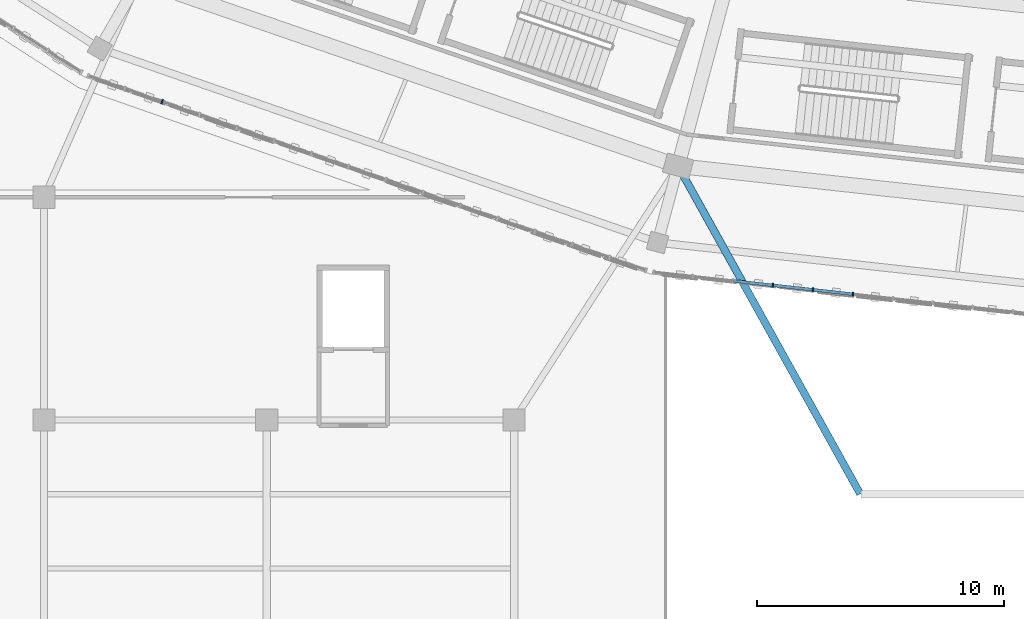
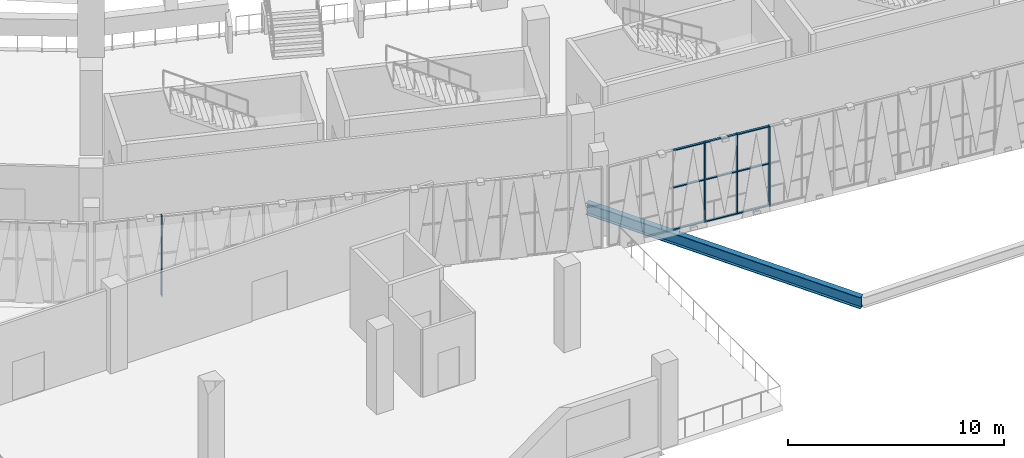
# One storey, part 13 of 183: 13 members, 1 beam, 2 elements without a shape of their own.
"""IFC4 building model written with IfcOpenShell, lengths in metres."""

from ifc_helpers import new_model, si_unit, direction, frame, origin, origin_2d, place, context, subcontext, project, spatial, rectangle, i_section, extrude, material, material_profile, profile_set, type_object, element, aggregate, save


model = new_model("IFC4")

# Units and contexts
model_context = context("Model", 3, precision=1e-05, world=origin(), true_north=direction((0.0, 1.0)))
body_context = subcontext(model_context, "Body", "Model", "MODEL_VIEW")
ifc_project = project(units=[si_unit("LENGTHUNIT", "METRE"), si_unit("AREAUNIT", "SQUARE_METRE"), si_unit("VOLUMEUNIT", "CUBIC_METRE"), si_unit("PLANEANGLEUNIT", "RADIAN"), si_unit("MASSUNIT", "GRAM", prefix="KILO")], contexts=[model_context])

# Site, building, storey
site_placement = place(None, origin())
site = spatial("IfcSite", under=ifc_project, at=site_placement, CompositionType="ELEMENT")
building_placement = place(site_placement, origin())
building = spatial("IfcBuilding", under=site, at=building_placement, Name="Zevraka Park Crest Stadium", CompositionType="ELEMENT")
storey_placement = place(building_placement, frame((0.0, 0.0, 5.39990234375)))
storey = spatial("IfcBuildingStorey", under=building, at=storey_placement, Name="L01", CompositionType="ELEMENT", Elevation=5.39990234375)

# Beam
ifc_material_1 = material(Name="Steel S355", Category="steel")
ifc_material_profile_1 = material_profile(ifc_material_1, i_section(OverallWidth=0.300048828125, OverallDepth=0.64990234375, WebThickness=0.01611328125, FlangeThickness=0.031005859375, at=origin_2d()), Name="HEB 650")
ifc_profile_set_1 = profile_set([ifc_material_profile_1], Name="Steel S355")
beam_type = type_object("IfcBeamType", Name="BG07", PredefinedType="BEAM", material=ifc_profile_set_1)
beam_placement = place(storey_placement, frame((95.989990234375, 6.01708984375, -0.635009765625), z_axis=(-0.485672351403, 0.874140930905, 0.0), x_axis=(-0.874140930905, -0.485672351403, 0.0)))
element("IfcBeam", 1, at=beam_placement, inside=storey, type_object=beam_type, Name="Arcade Tie Beam BG07 PADS", PredefinedType="BEAM", context=body_context, shape_type="SweptSolid", body=[
    extrude(i_section(OverallWidth=0.300048828125, OverallDepth=0.64990234375, WebThickness=0.01611328125, FlangeThickness=0.031005859375, at=origin_2d()), origin(), (0.0, 0.0, 1.0), 14.796142578125),
])

# Curtain wall, members
ifc_material_2 = material(Name="Anodised architectural aluminium and laminated safety glass", Category="aluminium")
curtain_wall_type_1 = type_object("IfcCurtainWallType", Name="CW01", PredefinedType="NOTDEFINED", material=ifc_material_2)
curtain_wall_1_placement = place(storey_placement, origin())
curtain_wall_1 = element("IfcCurtainWall", 2, at=curtain_wall_1_placement, inside=storey, type_object=curtain_wall_type_1, Name="Unitised Ring Curtain Wall CW01 L01-17", PredefinedType="NOTDEFINED")
ifc_material_3 = material(Name="Anodised architectural aluminium", Category="aluminium")
ifc_material_profile_2 = material_profile(ifc_material_3, rectangle(XDim=0.159912109375, YDim=0.06005859375, at=origin_2d()), Name="ALU MULLION 160x60")
ifc_profile_set_2 = profile_set([ifc_material_profile_2], Name="Anodised architectural aluminium")
member_type_1 = type_object("IfcMemberType", Name="CM01", PredefinedType="MULLION", material=ifc_profile_set_2)
member_1_placement = place(storey_placement, frame((92.463623046875, 14.4453125, 0.0), z_axis=(0.0, 0.0, 1.0), x_axis=(0.110134718639, 0.993916668414, 0.0)))
member_1 = element("IfcMember", 3, at=member_1_placement, type_object=member_type_1, Name="CW01 mullion 4", PredefinedType="MULLION", context=body_context, shape_type="SweptSolid", body=[
    extrude(rectangle(XDim=0.159912109375, YDim=0.06005859375, at=origin_2d()), origin(), (0.0, 0.0, 1.0), 4.52001953125),
])
member_2_placement = place(storey_placement, frame((94.080810546875, 14.26611328125, 0.0), z_axis=(0.0, 0.0, 1.0), x_axis=(0.110134718639, 0.993916668414, 0.0)))
member_2 = element("IfcMember", 4, at=member_2_placement, type_object=member_type_1, Name="CW01 mullion 5", PredefinedType="MULLION", context=body_context, shape_type="SweptSolid", body=[
    extrude(rectangle(XDim=0.159912109375, YDim=0.06005859375, at=origin_2d()), origin(), (0.0, 0.0, 1.0), 4.52001953125),
])
member_3_placement = place(storey_placement, frame((95.697998046875, 14.0869140625, 0.0), z_axis=(0.0, 0.0, 1.0), x_axis=(0.110134718639, 0.993916668414, 0.0)))
member_3 = element("IfcMember", 5, at=member_3_placement, type_object=member_type_1, Name="CW01 mullion 6", PredefinedType="MULLION", context=body_context, shape_type="SweptSolid", body=[
    extrude(rectangle(XDim=0.159912109375, YDim=0.06005859375, at=origin_2d()), origin(), (0.0, 0.0, 1.0), 4.52001953125),
])

# Curtain wall, member
ifc_material_4 = material(Name="Anodised architectural aluminium and laminated safety glass", Category="aluminium")
curtain_wall_type_2 = type_object("IfcCurtainWallType", Name="CW02", PredefinedType="NOTDEFINED", material=ifc_material_4)
curtain_wall_2_placement = place(storey_placement, origin())
curtain_wall_2 = element("IfcCurtainWall", 6, at=curtain_wall_2_placement, inside=storey, type_object=curtain_wall_type_2, Name="Unitised Ring Curtain Wall CW02 L01-16", PredefinedType="NOTDEFINED")
ifc_material_5 = material(Name="Anodised architectural aluminium", Category="aluminium")
ifc_material_profile_3 = material_profile(ifc_material_5, rectangle(XDim=0.179931640625, YDim=0.06494140625, at=origin_2d()), Name="ALU MULLION 180x65")
ifc_profile_set_3 = profile_set([ifc_material_profile_3], Name="Anodised architectural aluminium")
member_type_2 = type_object("IfcMemberType", Name="CM02", PredefinedType="MULLION", material=ifc_profile_set_3)
member_4_placement = place(storey_placement, frame((67.772216796875, 21.869384765625, 0.0), z_axis=(0.0, 0.0, 1.0), x_axis=(0.329209289879, 0.944256979565, 0.0)))
member_4 = element("IfcMember", 7, at=member_4_placement, type_object=member_type_2, Name="CW02 mullion 3", PredefinedType="MULLION", context=body_context, shape_type="SweptSolid", body=[
    extrude(rectangle(XDim=0.179931640625, YDim=0.06494140625, at=origin_2d()), origin(), (0.0, 0.0, 1.0), 4.52001953125),
])
aggregate(curtain_wall_2, [member_4])

# Member
ifc_material_6 = material(Name="Anodised architectural aluminium", Category="aluminium")
ifc_material_profile_4 = material_profile(ifc_material_6, rectangle(XDim=0.1201171875, YDim=0.06005859375, at=origin_2d()), Name="ALU TRANSOM 120x60")
ifc_profile_set_4 = profile_set([ifc_material_profile_4], Name="Anodised architectural aluminium")
member_type_3 = type_object("IfcMemberType", Name="CT01", PredefinedType="USERDEFINED", material=ifc_profile_set_4)
member_5_placement = place(storey_placement, frame((90.876220703125, 14.621337890625, 0.030029296875), z_axis=(0.993915989308, -0.110140847091, 0.0), x_axis=(0.110140847091, 0.993915989308, 0.0)))
member_5 = element("IfcMember", 8, at=member_5_placement, type_object=member_type_3, Name="CW01 transom 3.1", ObjectType="TRANSOM", PredefinedType="USERDEFINED", context=body_context, shape_type="SweptSolid", body=[
    extrude(rectangle(XDim=0.1201171875, YDim=0.06005859375, at=origin_2d()), origin(), (0.0, 0.0, 1.0), 1.567138671875),
])

member_6_placement = place(storey_placement, frame((90.876220703125, 14.621337890625, 2.400146484375), z_axis=(0.993915989308, -0.110140847091, 0.0), x_axis=(0.110140847091, 0.993915989308, 0.0)))
member_6 = element("IfcMember", 9, at=member_6_placement, type_object=member_type_3, Name="CW01 transom 3.2", ObjectType="TRANSOM", PredefinedType="USERDEFINED", context=body_context, shape_type="SweptSolid", body=[
    extrude(rectangle(XDim=0.1201171875, YDim=0.06005859375, at=origin_2d()), origin(), (0.0, 0.0, 1.0), 1.567138671875),
])

member_7_placement = place(storey_placement, frame((90.876220703125, 14.621337890625, 4.489990234375), z_axis=(0.993915989308, -0.110140847091, 0.0), x_axis=(0.110140847091, 0.993915989308, 0.0)))
member_7 = element("IfcMember", 10, at=member_7_placement, type_object=member_type_3, Name="CW01 transom 3.3", ObjectType="TRANSOM", PredefinedType="USERDEFINED", context=body_context, shape_type="SweptSolid", body=[
    extrude(rectangle(XDim=0.1201171875, YDim=0.06005859375, at=origin_2d()), origin(), (0.0, 0.0, 1.0), 1.567138671875),
])

member_8_placement = place(storey_placement, frame((92.493408203125, 14.442138671875, 0.030029296875), z_axis=(0.993915989308, -0.110140847091, 0.0), x_axis=(0.110140847091, 0.993915989308, 0.0)))
member_8 = element("IfcMember", 11, at=member_8_placement, type_object=member_type_3, Name="CW01 transom 4.1", ObjectType="TRANSOM", PredefinedType="USERDEFINED", context=body_context, shape_type="SweptSolid", body=[
    extrude(rectangle(XDim=0.1201171875, YDim=0.06005859375, at=origin_2d()), origin(), (0.0, 0.0, 1.0), 1.567138671875),
])

member_9_placement = place(storey_placement, frame((92.493408203125, 14.442138671875, 2.400146484375), z_axis=(0.993915989308, -0.110140847091, 0.0), x_axis=(0.110140847091, 0.993915989308, 0.0)))
member_9 = element("IfcMember", 12, at=member_9_placement, type_object=member_type_3, Name="CW01 transom 4.2", ObjectType="TRANSOM", PredefinedType="USERDEFINED", context=body_context, shape_type="SweptSolid", body=[
    extrude(rectangle(XDim=0.1201171875, YDim=0.06005859375, at=origin_2d()), origin(), (0.0, 0.0, 1.0), 1.567138671875),
])

member_10_placement = place(storey_placement, frame((92.493408203125, 14.442138671875, 4.489990234375), z_axis=(0.993915989308, -0.110140847091, 0.0), x_axis=(0.110140847091, 0.993915989308, 0.0)))
member_10 = element("IfcMember", 13, at=member_10_placement, type_object=member_type_3, Name="CW01 transom 4.3", ObjectType="TRANSOM", PredefinedType="USERDEFINED", context=body_context, shape_type="SweptSolid", body=[
    extrude(rectangle(XDim=0.1201171875, YDim=0.06005859375, at=origin_2d()), origin(), (0.0, 0.0, 1.0), 1.567138671875),
])

member_11_placement = place(storey_placement, frame((94.110595703125, 14.262939453125, 0.030029296875), z_axis=(0.993915989308, -0.110140847091, 0.0), x_axis=(0.110140847091, 0.993915989308, 0.0)))
member_11 = element("IfcMember", 14, at=member_11_placement, type_object=member_type_3, Name="CW01 transom 5.1", ObjectType="TRANSOM", PredefinedType="USERDEFINED", context=body_context, shape_type="SweptSolid", body=[
    extrude(rectangle(XDim=0.1201171875, YDim=0.06005859375, at=origin_2d()), origin(), (0.0, 0.0, 1.0), 1.567138671875),
])

member_12_placement = place(storey_placement, frame((94.110595703125, 14.262939453125, 2.400146484375), z_axis=(0.993915989308, -0.110140847091, 0.0), x_axis=(0.110140847091, 0.993915989308, 0.0)))
member_12 = element("IfcMember", 15, at=member_12_placement, type_object=member_type_3, Name="CW01 transom 5.2", ObjectType="TRANSOM", PredefinedType="USERDEFINED", context=body_context, shape_type="SweptSolid", body=[
    extrude(rectangle(XDim=0.1201171875, YDim=0.06005859375, at=origin_2d()), origin(), (0.0, 0.0, 1.0), 1.567138671875),
])

member_13_placement = place(storey_placement, frame((94.110595703125, 14.262939453125, 4.489990234375), z_axis=(0.993915989308, -0.110140847091, 0.0), x_axis=(0.110140847091, 0.993915989308, 0.0)))
member_13 = element("IfcMember", 16, at=member_13_placement, type_object=member_type_3, Name="CW01 transom 5.3", ObjectType="TRANSOM", PredefinedType="USERDEFINED", context=body_context, shape_type="SweptSolid", body=[
    extrude(rectangle(XDim=0.1201171875, YDim=0.06005859375, at=origin_2d()), origin(), (0.0, 0.0, 1.0), 1.567138671875),
])

aggregate(curtain_wall_1, [member_1, member_2, member_3, member_5, member_6, member_7, member_8, member_9, member_10, member_11, member_12, member_13])

save(model, "model.ifc")
